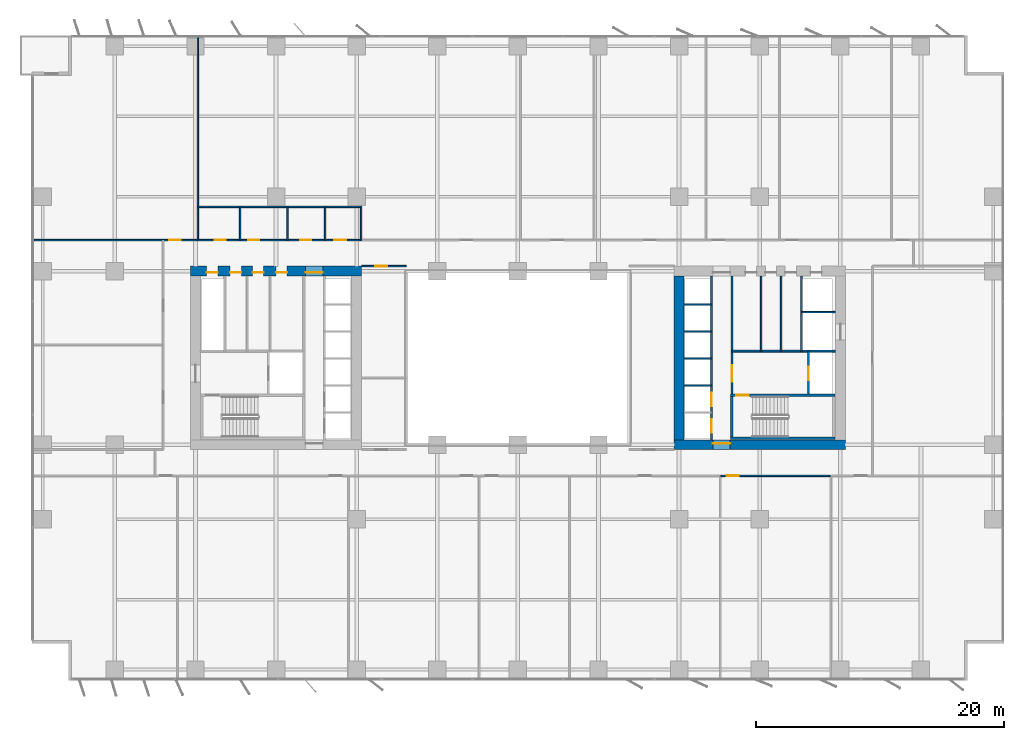
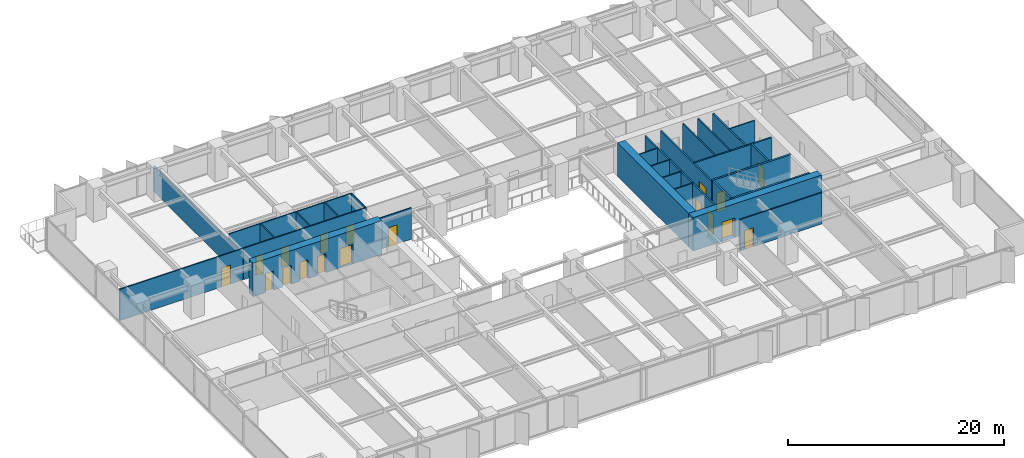
# One storey, part 14 of 20: 28 walls, 18 doors, 18 openings.
"""IFC4 building model written with IfcOpenShell, lengths in metres."""

from ifc_helpers import new_model, si_unit, direction, frame, frame_2d, origin, place, context, subcontext, project, spatial, rectangle, extrude, material, layer, layer_set, type_object, element, fill, save


model = new_model("IFC4")

# Units and contexts
model_context = context("Model", 3, precision=1e-05, world=origin(), true_north=direction((0.0, 1.0)))
body_context = subcontext(model_context, "Body", "Model", "MODEL_VIEW")
ifc_project = project(units=[si_unit("LENGTHUNIT", "METRE"), si_unit("AREAUNIT", "SQUARE_METRE"), si_unit("VOLUMEUNIT", "CUBIC_METRE"), si_unit("PLANEANGLEUNIT", "RADIAN"), si_unit("MASSUNIT", "GRAM", prefix="KILO")], contexts=[model_context])

# Site, building, storey
site_placement = place(None, origin())
site = spatial("IfcSite", under=ifc_project, at=site_placement, CompositionType="ELEMENT")
building_placement = place(site_placement, origin())
building = spatial("IfcBuilding", under=site, at=building_placement, Name="Putna Gate Headquarters", CompositionType="ELEMENT")
storey_placement = place(building_placement, frame((0.0, 0.0, 73.39990234375)))
storey = spatial("IfcBuildingStorey", under=building, at=storey_placement, Name="L17", CompositionType="ELEMENT", Elevation=73.39990234375)

# Wall, openings, doors
ifc_material_1 = material(Name="Concrete C60/75", Category="concrete")
ifc_layer_1 = layer(ifc_material_1, 0.800048828125)
ifc_layer_set_1 = layer_set([ifc_layer_1], Name="Concrete C60/75")
wall_type_1 = type_object("IfcWallType", Name="WALL-CORE-800", PredefinedType="SHEAR", material=ifc_layer_set_1)
wall_1_placement = place(storey_placement, frame((12.60009765625, 33.0, 0.0), z_axis=(0.0, 0.0, 1.0), x_axis=(1.0, 0.0, 0.0)))
wall_1 = element("IfcWall", 1, at=wall_1_placement, inside=storey, type_object=wall_type_1, Name="L17 WC Split Core Shear Wall N", PredefinedType="SHEAR", context=body_context, shape_type="SweptSolid", body=[
    extrude(rectangle(XDim=13.7998046875, YDim=0.800048828125, at=frame_2d((6.89990234375, 0.0))), origin(), (0.0, 0.0, 1.0), 3.800048828125),
])
opening_1_placement = place(wall_1_placement, frame((1.300048828125, 0.0, 0.0)))
opening_1 = element("IfcOpeningElement", 2, at=opening_1_placement, cuts=wall_1, Name="Opening RD-90", PredefinedType="OPENING", context=body_context, shape_type="SweptSolid", body=[
    extrude(rectangle(XDim=0.89990234375, YDim=2.14990234375, at=frame_2d((0.449951171875, 1.074951171875))), frame((0.0, 0.409912109375, 0.0), z_axis=(0.0, -1.0, 0.0), x_axis=(1.0, 0.0, 0.0)), (0.0, 0.0, 1.0), 0.820068359375),
])
opening_2_placement = place(wall_1_placement, frame((3.199951171875, 0.0, 0.0)))
opening_2 = element("IfcOpeningElement", 3, at=opening_2_placement, cuts=wall_1, Name="Opening IDS-90", PredefinedType="OPENING", context=body_context, shape_type="SweptSolid", body=[
    extrude(rectangle(XDim=0.89990234375, YDim=2.14990234375, at=frame_2d((0.449951171875, 1.074951171875))), frame((0.0, 0.409912109375, 0.0), z_axis=(0.0, -1.0, 0.0), x_axis=(1.0, 0.0, 0.0)), (0.0, 0.0, 1.0), 0.820068359375),
])
opening_3_placement = place(wall_1_placement, frame((5.0, 0.0, 0.0)))
opening_3 = element("IfcOpeningElement", 4, at=opening_3_placement, cuts=wall_1, Name="Opening IDS-90", PredefinedType="OPENING", context=body_context, shape_type="SweptSolid", body=[
    extrude(rectangle(XDim=0.89990234375, YDim=2.14990234375, at=frame_2d((0.449951171875, 1.074951171875))), frame((0.0, 0.409912109375, 0.0), z_axis=(0.0, -1.0, 0.0), x_axis=(1.0, 0.0, 0.0)), (0.0, 0.0, 1.0), 0.820068359375),
])
opening_4_placement = place(wall_1_placement, frame((6.89990234375, 0.0, 0.0)))
opening_4 = element("IfcOpeningElement", 5, at=opening_4_placement, cuts=wall_1, Name="Opening IDS-90", PredefinedType="OPENING", context=body_context, shape_type="SweptSolid", body=[
    extrude(rectangle(XDim=0.89990234375, YDim=2.14990234375, at=frame_2d((0.449951171875, 1.074951171875))), frame((0.0, 0.409912109375, 0.0), z_axis=(0.0, -1.0, 0.0), x_axis=(1.0, 0.0, 0.0)), (0.0, 0.0, 1.0), 0.820068359375),
])
opening_5_placement = place(wall_1_placement, frame((9.280029296875, 0.0, 0.0)))
opening_5 = element("IfcOpeningElement", 6, at=opening_5_placement, cuts=wall_1, Name="Opening FDD-140", PredefinedType="OPENING", context=body_context, shape_type="SweptSolid", body=[
    extrude(rectangle(XDim=1.39990234375, YDim=2.199951171875, at=frame_2d((0.699951171875, 1.10009765625))), frame((0.0, 0.409912109375, 0.0), z_axis=(0.0, -1.0, 0.0), x_axis=(1.0, 0.0, 0.0)), (0.0, 0.0, 1.0), 0.820068359375),
])
ifc_material_2 = material(Name="Double steel fire door", Category="steel")
door_type_1 = type_object("IfcDoorType", Name="DOOR-FIRE-DBL-1400", OperationType="DOUBLE_DOOR_SINGLE_SWING", PredefinedType="DOOR", material=ifc_material_2)
door_1_placement = place(opening_5_placement, origin())
door_1 = element("IfcDoor", 7, at=door_1_placement, inside=storey, type_object=door_type_1, Name="L17 West Lift Lobby North Door", OperationType="DOUBLE_DOOR_SINGLE_SWING", OverallHeight=2.199951171875, OverallWidth=1.39990234375, PredefinedType="DOOR", context=body_context, shape_type="SweptSolid", body=[
    extrude(rectangle(XDim=1.39990234375, YDim=2.199951171875, at=frame_2d((0.699951171875, 1.10009765625))), frame((0.0, -0.0751953125, 0.0), z_axis=(0.0, -1.0, 0.0), x_axis=(1.0, 0.0, 0.0)), (0.0, 0.0, 1.0), 0.050048828125),
])
fill(opening_5, door_1)
ifc_material_3 = material(Name="Fire-rated utility door")
door_type_2 = type_object("IfcDoorType", Name="DOOR-INT-900", OperationType="NOTDEFINED", PredefinedType="DOOR", material=ifc_material_3)
door_2_placement = place(opening_2_placement, origin())
door_2 = element("IfcDoor", 8, at=door_2_placement, inside=storey, type_object=door_type_2, Name="L17 Janitor Cupboard Door", OperationType="SINGLE_SWING_LEFT", OverallHeight=2.14990234375, OverallWidth=0.89990234375, PredefinedType="DOOR", context=body_context, shape_type="SweptSolid", body=[
    extrude(rectangle(XDim=0.89990234375, YDim=2.14990234375, at=frame_2d((0.449951171875, 1.074951171875))), frame((0.0, -0.0751953125, 0.0), z_axis=(0.0, -1.0, 0.0), x_axis=(1.0, 0.0, 0.0)), (0.0, 0.0, 1.0), 0.050048828125),
])
fill(opening_2, door_2)
door_3_placement = place(opening_3_placement, origin())
door_3 = element("IfcDoor", 9, at=door_3_placement, inside=storey, type_object=door_type_2, Name="L17 IT Patch Plant Door", OperationType="SINGLE_SWING_RIGHT", OverallHeight=2.14990234375, OverallWidth=0.89990234375, PredefinedType="DOOR", context=body_context, shape_type="SweptSolid", body=[
    extrude(rectangle(XDim=0.89990234375, YDim=2.14990234375, at=frame_2d((0.449951171875, 1.074951171875))), frame((0.0, -0.0751953125, 0.0), z_axis=(0.0, -1.0, 0.0), x_axis=(1.0, 0.0, 0.0)), (0.0, 0.0, 1.0), 0.050048828125),
])
fill(opening_3, door_3)
door_4_placement = place(opening_4_placement, origin())
door_4 = element("IfcDoor", 10, at=door_4_placement, inside=storey, type_object=door_type_2, Name="L17 Building Records Store Door", OperationType="SINGLE_SWING_LEFT", OverallHeight=2.14990234375, OverallWidth=0.89990234375, PredefinedType="DOOR", context=body_context, shape_type="SweptSolid", body=[
    extrude(rectangle(XDim=0.89990234375, YDim=2.14990234375, at=frame_2d((0.449951171875, 1.074951171875))), frame((0.0, -0.0751953125, 0.0), z_axis=(0.0, -1.0, 0.0), x_axis=(1.0, 0.0, 0.0)), (0.0, 0.0, 1.0), 0.050048828125),
])
fill(opening_4, door_4)
ifc_material_4 = material(Name="Steel riser access fire door", Category="steel")
door_type_3 = type_object("IfcDoorType", Name="DOOR-RISER-900", OperationType="NOTDEFINED", PredefinedType="DOOR", material=ifc_material_4)
door_5_placement = place(opening_1_placement, origin())
door_5 = element("IfcDoor", 11, at=door_5_placement, inside=storey, type_object=door_type_3, Name="L17 West Riser Access Door", OperationType="SINGLE_SWING_RIGHT", OverallHeight=2.14990234375, OverallWidth=0.89990234375, PredefinedType="DOOR", context=body_context, shape_type="SweptSolid", body=[
    extrude(rectangle(XDim=0.89990234375, YDim=2.14990234375, at=frame_2d((0.449951171875, 1.074951171875))), frame((0.0, -0.0751953125, 0.0), z_axis=(0.0, -1.0, 0.0), x_axis=(1.0, 0.0, 0.0)), (0.0, 0.0, 1.0), 0.050048828125),
])
fill(opening_1, door_5)

# Wall, opening, door
wall_2_placement = place(storey_placement, frame((51.60009765625, 19.0, 0.0), z_axis=(0.0, 0.0, 1.0), x_axis=(1.0, 0.0, 0.0)))
wall_2 = element("IfcWall", 12, at=wall_2_placement, inside=storey, type_object=wall_type_1, Name="L17 EC Split Core Shear Wall S", PredefinedType="SHEAR", context=body_context, shape_type="SweptSolid", body=[
    extrude(rectangle(XDim=13.7998046875, YDim=0.800048828125, at=frame_2d((6.89990234375, 0.0))), origin(), (0.0, 0.0, 1.0), 3.800048828125),
])
opening_6_placement = place(wall_2_placement, frame((3.1201171875, 0.0, 0.0)))
opening_6 = element("IfcOpeningElement", 13, at=opening_6_placement, cuts=wall_2, Name="Opening FDD-140", PredefinedType="OPENING", context=body_context, shape_type="SweptSolid", body=[
    extrude(rectangle(XDim=1.39990234375, YDim=2.199951171875, at=frame_2d((0.699951171875, 1.10009765625))), frame((0.0, 0.409912109375, 0.0), z_axis=(0.0, -1.0, 0.0), x_axis=(1.0, 0.0, 0.0)), (0.0, 0.0, 1.0), 0.820068359375),
])
door_6_placement = place(opening_6_placement, origin())
door_6 = element("IfcDoor", 14, at=door_6_placement, inside=storey, type_object=door_type_1, Name="L17 East Lift Lobby South Door", OperationType="DOUBLE_DOOR_SINGLE_SWING", OverallHeight=2.199951171875, OverallWidth=1.39990234375, PredefinedType="DOOR", context=body_context, shape_type="SweptSolid", body=[
    extrude(rectangle(XDim=1.39990234375, YDim=2.199951171875, at=frame_2d((0.699951171875, 1.10009765625))), frame((0.0, 0.125, 0.0), z_axis=(0.0, -1.0, 0.0), x_axis=(1.0, 0.0, 0.0)), (0.0, 0.0, 1.0), 0.050048828125),
])
fill(opening_6, door_6)

# Wall
wall_3_placement = place(storey_placement, frame((52.0, 19.39990234375, 0.0), z_axis=(0.0, 0.0, 1.0), x_axis=(0.0, 1.0, 0.0)))
element("IfcWall", 15, at=wall_3_placement, inside=storey, type_object=wall_type_1, Name="L17 EC Split Core Shear Wall W", PredefinedType="SHEAR", context=body_context, shape_type="SweptSolid", body=[
    extrude(rectangle(XDim=13.2001953125, YDim=0.800048828125, at=frame_2d((6.60009765625, 0.0))), origin(), (0.0, 0.0, 1.0), 3.800048828125),
])

# Wall, opening, door
ifc_material_5 = material(Name="Acoustic gypsum board on metal stud")
ifc_layer_2 = layer(ifc_material_5, 0.1201171875)
ifc_layer_set_2 = layer_set([ifc_layer_2], Name="Acoustic gypsum board on metal stud")
wall_type_2 = type_object("IfcWallType", Name="WALL-PART-120", PredefinedType="PARTITIONING", material=ifc_layer_set_2)
wall_4_placement = place(storey_placement, frame((26.39990234375, 33.39990234375, 0.0), z_axis=(0.0, 0.0, 1.0), x_axis=(1.0, 0.0, 0.0)))
wall_4 = element("IfcWall", 16, at=wall_4_placement, inside=storey, type_object=wall_type_2, Name="L17 Interior Wall PART-L17-ATR-W-N", PredefinedType="PARTITIONING", context=body_context, shape_type="SweptSolid", body=[
    extrude(rectangle(XDim=3.60009765625, YDim=0.1201171875, at=frame_2d((1.800048828125, 0.0))), origin(), (0.0, 0.0, 1.0), 3.550048828125),
])
opening_7_placement = place(wall_4_placement, frame((1.10009765625, 0.0, 0.0)))
opening_7 = element("IfcOpeningElement", 17, at=opening_7_placement, cuts=wall_4, Name="Opening ID-95", PredefinedType="OPENING", context=body_context, shape_type="SweptSolid", body=[
    extrude(rectangle(XDim=0.949951171875, YDim=2.14990234375, at=frame_2d((0.47509765625, 1.074951171875))), frame((0.0, 0.070068359375, 0.0), z_axis=(0.0, -1.0, 0.0), x_axis=(1.0, 0.0, 0.0)), (0.0, 0.0, 1.0), 0.14013671875),
])
ifc_material_6 = material(Name="Veneered acoustic timber door", Category="wood")
door_type_4 = type_object("IfcDoorType", Name="DOOR-OFF-950", OperationType="NOTDEFINED", PredefinedType="DOOR", material=ifc_material_6)
door_7_placement = place(opening_7_placement, origin())
door_7 = element("IfcDoor", 18, at=door_7_placement, inside=storey, type_object=door_type_4, Name="L17 West Atrium North Study Door", OperationType="SINGLE_SWING_RIGHT", OverallHeight=2.14990234375, OverallWidth=0.949951171875, PredefinedType="DOOR", context=body_context, shape_type="SweptSolid", body=[
    extrude(rectangle(XDim=0.949951171875, YDim=2.14990234375, at=frame_2d((0.47509765625, 1.074951171875))), frame((0.0, 0.02490234375, 0.0), z_axis=(0.0, -1.0, 0.0), x_axis=(1.0, 0.0, 0.0)), (0.0, 0.0, 1.0), 0.050048828125),
])
fill(opening_7, door_7)

# Walls
wall_5_placement = place(storey_placement, frame((13.199951171875, 35.56005859375, 0.0), z_axis=(0.0, 0.0, 1.0), x_axis=(0.0, 1.0, 0.0)))
element("IfcWall", 19, at=wall_5_placement, inside=storey, type_object=wall_type_2, Name="L17 Interior Wall PART-L17-NB-DIV-01", PredefinedType="PARTITIONING", context=body_context, shape_type="SweptSolid", body=[
    extrude(rectangle(XDim=16.419921875, YDim=0.1201171875, at=frame_2d((8.2099609375, 0.0))), origin(), (0.0, 0.0, 1.0), 2.900146484375),
])
ifc_material_7 = material(Name="Fire-rated shaftwall gypsum board on metal stud")
ifc_layer_3 = layer(ifc_material_7, 0.1201171875)
ifc_layer_set_3 = layer_set([ifc_layer_3], Name="Fire-rated shaftwall gypsum board on metal stud")
wall_type_3 = type_object("IfcWallType", Name="WALL-PART-120-EI120", PredefinedType="PARTITIONING", material=ifc_layer_set_3)
for number, where, z_axis, x_axis, name in (
    (20, (52.39990234375, 23.780029296875, 0.0), (0.0, 0.0, 1.0), (1.0, 0.0, 0.0), "L17 Interior Wall CWINT-L17-EC-LF04-DIV"),
    (21, (52.39990234375, 25.949951171875, 0.0), (0.0, 0.0, 1.0), (1.0, 0.0, 0.0), "L17 Interior Wall CWINT-L17-EC-LF07-DIV"),
    (22, (52.39990234375, 28.1201171875, 0.0), (0.0, 0.0, 1.0), (1.0, 0.0, 0.0), "L17 Interior Wall CWINT-L17-EC-LF08-DIV"),
    (23, (52.39990234375, 30.31005859375, 0.0), (0.0, 0.0, 1.0), (1.0, 0.0, 0.0), "L17 Interior Wall CWINT-L17-EC-LF11-DIV"),
):
    element("IfcWall", number, at=place(storey_placement, frame(where, z_axis=z_axis, x_axis=x_axis)), inside=storey, type_object=wall_type_3, Name=name, PredefinedType="PARTITIONING", context=body_context, shape_type="SweptSolid", body=[
        extrude(rectangle(XDim=2.2001953125, YDim=0.1201171875, at=frame_2d((1.10009765625, 0.0))), origin(), (0.0, 0.0, 1.0), 3.550048828125),
    ])
wall_6_placement = place(storey_placement, frame((61.8701171875, 29.699951171875, 0.0), z_axis=(0.0, 0.0, 1.0), x_axis=(1.0, 0.0, 0.0)))
element("IfcWall", 24, at=wall_6_placement, inside=storey, type_object=wall_type_3, Name="L17 Interior Wall CWINT-L17-EC-LF15-N", PredefinedType="PARTITIONING", context=body_context, shape_type="SweptSolid", body=[
    extrude(rectangle(XDim=2.72998046875, YDim=0.1201171875, at=frame_2d((1.364990234375, 0.0))), origin(), (0.0, 0.0, 1.0), 3.550048828125),
])
ifc_material_8 = material(Name="Fire-rated gypsum board on metal stud")
ifc_layer_4 = layer(ifc_material_8, 0.1201171875)
ifc_layer_set_4 = layer_set([ifc_layer_4], Name="Fire-rated gypsum board on metal stud")
wall_type_4 = type_object("IfcWallType", Name="WALL-PART-120-RATED", PredefinedType="PARTITIONING", material=ifc_layer_set_4)
for number, where, z_axis, x_axis, name in (
    (25, (58.6201171875, 26.56005859375, 0.0), (0.0, 0.0, 1.0), (0.0, 1.0, 0.0), "L17 Interior Wall CWINT-L17-EC-K2-D1"),
    (26, (60.219970703125, 26.56005859375, 0.0), (0.0, 0.0, 1.0), (0.0, 1.0, 0.0), "L17 Interior Wall CWINT-L17-EC-K2-D2"),
):
    element("IfcWall", number, at=place(storey_placement, frame(where, z_axis=z_axis, x_axis=x_axis)), inside=storey, type_object=wall_type_4, Name=name, PredefinedType="PARTITIONING", context=body_context, shape_type="SweptSolid", body=[
        extrude(rectangle(XDim=6.0400390625, YDim=0.1201171875, at=frame_2d((3.02001953125, 0.0))), origin(), (0.0, 0.0, 1.0), 3.550048828125),
    ])

# Wall, openings, doors
wall_7_placement = place(storey_placement, frame((13.199951171875, 35.5, 0.0), z_axis=(0.0, 0.0, 1.0), x_axis=(1.0, 0.0, 0.0)))
wall_7 = element("IfcWall", 27, at=wall_7_placement, inside=storey, type_object=wall_type_4, Name="L17 Interior Wall PART-L17-SAN-CW", PredefinedType="PARTITIONING", context=body_context, shape_type="SweptSolid", body=[
    extrude(rectangle(XDim=13.16015625, YDim=0.1201171875, at=frame_2d((6.580078125, 0.0))), origin(), (0.0, 0.0, 1.0), 3.550048828125),
])
opening_8_placement = place(wall_7_placement, frame((1.35009765625, 0.0, 0.0)))
opening_8 = element("IfcOpeningElement", 28, at=opening_8_placement, cuts=wall_7, Name="Opening FD-90", PredefinedType="OPENING", context=body_context, shape_type="SweptSolid", body=[
    extrude(rectangle(XDim=0.89990234375, YDim=2.14990234375, at=frame_2d((0.449951171875, 1.074951171875))), frame((0.0, 0.070068359375, 0.0), z_axis=(0.0, -1.0, 0.0), x_axis=(1.0, 0.0, 0.0)), (0.0, 0.0, 1.0), 0.14013671875),
])
opening_9_placement = place(wall_7_placement, frame((4.050048828125, 0.0, 0.0)))
opening_9 = element("IfcOpeningElement", 29, at=opening_9_placement, cuts=wall_7, Name="Opening FD-90", PredefinedType="OPENING", context=body_context, shape_type="SweptSolid", body=[
    extrude(rectangle(XDim=0.89990234375, YDim=2.14990234375, at=frame_2d((0.449951171875, 1.074951171875))), frame((0.0, 0.070068359375, 0.0), z_axis=(0.0, -1.0, 0.0), x_axis=(1.0, 0.0, 0.0)), (0.0, 0.0, 1.0), 0.14013671875),
])
opening_10_placement = place(wall_7_placement, frame((8.25, 0.0, 0.0)))
opening_10 = element("IfcOpeningElement", 30, at=opening_10_placement, cuts=wall_7, Name="Opening FD-90", PredefinedType="OPENING", context=body_context, shape_type="SweptSolid", body=[
    extrude(rectangle(XDim=0.89990234375, YDim=2.14990234375, at=frame_2d((0.449951171875, 1.074951171875))), frame((0.0, 0.070068359375, 0.0), z_axis=(0.0, -1.0, 0.0), x_axis=(1.0, 0.0, 0.0)), (0.0, 0.0, 1.0), 0.14013671875),
])
opening_11_placement = place(wall_7_placement, frame((11.0, 0.0, 0.0)))
opening_11 = element("IfcOpeningElement", 31, at=opening_11_placement, cuts=wall_7, Name="Opening FD-95", PredefinedType="OPENING", context=body_context, shape_type="SweptSolid", body=[
    extrude(rectangle(XDim=0.949951171875, YDim=2.14990234375, at=frame_2d((0.47509765625, 1.074951171875))), frame((0.0, 0.070068359375, 0.0), z_axis=(0.0, -1.0, 0.0), x_axis=(1.0, 0.0, 0.0)), (0.0, 0.0, 1.0), 0.14013671875),
])
ifc_material_9 = material(Name="Acoustic washroom fire door")
door_type_5 = type_object("IfcDoorType", Name="DOOR-FIRE-900", OperationType="NOTDEFINED", PredefinedType="DOOR", material=ifc_material_9)
door_8_placement = place(opening_8_placement, origin())
door_8 = element("IfcDoor", 32, at=door_8_placement, inside=storey, type_object=door_type_5, Name="L17 Washroom Male Door", OperationType="SINGLE_SWING_RIGHT", OverallHeight=2.14990234375, OverallWidth=0.89990234375, PredefinedType="DOOR", context=body_context, shape_type="SweptSolid", body=[
    extrude(rectangle(XDim=0.89990234375, YDim=2.14990234375, at=frame_2d((0.449951171875, 1.074951171875))), frame((0.0, 0.02490234375, 0.0), z_axis=(0.0, -1.0, 0.0), x_axis=(1.0, 0.0, 0.0)), (0.0, 0.0, 1.0), 0.050048828125),
])
fill(opening_8, door_8)
door_9_placement = place(opening_9_placement, origin())
door_9 = element("IfcDoor", 33, at=door_9_placement, inside=storey, type_object=door_type_5, Name="L17 Washroom Female Door", OperationType="SINGLE_SWING_LEFT", OverallHeight=2.14990234375, OverallWidth=0.89990234375, PredefinedType="DOOR", context=body_context, shape_type="SweptSolid", body=[
    extrude(rectangle(XDim=0.89990234375, YDim=2.14990234375, at=frame_2d((0.449951171875, 1.074951171875))), frame((0.0, 0.02490234375, 0.0), z_axis=(0.0, -1.0, 0.0), x_axis=(1.0, 0.0, 0.0)), (0.0, 0.0, 1.0), 0.050048828125),
])
fill(opening_9, door_9)
door_10_placement = place(opening_10_placement, origin())
door_10 = element("IfcDoor", 34, at=door_10_placement, inside=storey, type_object=door_type_5, Name="L17 Accessible WC Door", OperationType="SINGLE_SWING_RIGHT", OverallHeight=2.14990234375, OverallWidth=0.89990234375, PredefinedType="DOOR", context=body_context, shape_type="SweptSolid", body=[
    extrude(rectangle(XDim=0.89990234375, YDim=2.14990234375, at=frame_2d((0.449951171875, 1.074951171875))), frame((0.0, 0.02490234375, 0.0), z_axis=(0.0, -1.0, 0.0), x_axis=(1.0, 0.0, 0.0)), (0.0, 0.0, 1.0), 0.050048828125),
])
fill(opening_10, door_10)
ifc_material_10 = material(Name="Acoustic timber fire door", Category="wood")
door_type_6 = type_object("IfcDoorType", Name="DOOR-FIRE-950", OperationType="NOTDEFINED", PredefinedType="DOOR", material=ifc_material_10)
door_11_placement = place(opening_11_placement, origin())
door_11 = element("IfcDoor", 35, at=door_11_placement, inside=storey, type_object=door_type_6, Name="L17 Staff Pantry and Tea Point Door", OperationType="SINGLE_SWING_LEFT", OverallHeight=2.14990234375, OverallWidth=0.949951171875, PredefinedType="DOOR", context=body_context, shape_type="SweptSolid", body=[
    extrude(rectangle(XDim=0.949951171875, YDim=2.14990234375, at=frame_2d((0.47509765625, 1.074951171875))), frame((0.0, 0.02490234375, 0.0), z_axis=(0.0, -1.0, 0.0), x_axis=(1.0, 0.0, 0.0)), (0.0, 0.0, 1.0), 0.050048828125),
])
fill(opening_11, door_11)

# Walls
wall_8_placement = place(storey_placement, frame((13.199951171875, 38.179931640625, 0.0), z_axis=(0.0, 0.0, 1.0), x_axis=(1.0, 0.0, 0.0)))
element("IfcWall", 36, at=wall_8_placement, inside=storey, type_object=wall_type_4, Name="L17 Interior Wall PART-L17-SAN-BACK", PredefinedType="PARTITIONING", context=body_context, shape_type="SweptSolid", body=[
    extrude(rectangle(XDim=13.16015625, YDim=0.1201171875, at=frame_2d((6.580078125, 0.0))), origin(), (0.0, 0.0, 1.0), 3.550048828125),
])
for number, where, z_axis, x_axis, name in (
    (37, (16.60009765625, 35.5, 0.0), (0.0, 0.0, 1.0), (0.0, 1.0, 0.0), "L17 Interior Wall PART-L17-SAN-DIV-1"),
    (38, (20.419921875, 35.5, 0.0), (0.0, 0.0, 1.0), (0.0, 1.0, 0.0), "L17 Interior Wall PART-L17-SAN-DIV-2"),
    (39, (23.4599609375, 35.5, 0.0), (0.0, 0.0, 1.0), (0.0, 1.0, 0.0), "L17 Interior Wall PART-L17-SAN-DIV-3"),
    (40, (26.360107421875, 35.5, 0.0), (0.0, 0.0, 1.0), (0.0, 1.0, 0.0), "L17 Interior Wall PART-L17-SAN-DIV-4"),
):
    element("IfcWall", number, at=place(storey_placement, frame(where, z_axis=z_axis, x_axis=x_axis)), inside=storey, type_object=wall_type_4, Name=name, PredefinedType="PARTITIONING", context=body_context, shape_type="SweptSolid", body=[
        extrude(rectangle(XDim=2.679931640625, YDim=0.1201171875, at=frame_2d((1.33984375, 0.0))), origin(), (0.0, 0.0, 1.0), 3.550048828125),
    ])

# Wall, opening, door
wall_9_placement = place(storey_placement, frame((-0.02001953125, 35.5, 0.0), z_axis=(0.0, 0.0, 1.0), x_axis=(1.0, 0.0, 0.0)))
wall_9 = element("IfcWall", 41, at=wall_9_placement, inside=storey, type_object=wall_type_4, Name="L17 Interior Wall PART-L17-NB-CW-01", PredefinedType="PARTITIONING", context=body_context, shape_type="SweptSolid", body=[
    extrude(rectangle(XDim=13.159912109375, YDim=0.1201171875, at=frame_2d((6.580078125, 0.0))), origin(), (0.0, 0.0, 1.0), 3.550048828125),
])
opening_12_placement = place(wall_9_placement, frame((10.89990234375, 0.0, 0.0)))
opening_12 = element("IfcOpeningElement", 42, at=opening_12_placement, cuts=wall_9, Name="Opening FD-95", PredefinedType="OPENING", context=body_context, shape_type="SweptSolid", body=[
    extrude(rectangle(XDim=0.949951171875, YDim=2.14990234375, at=frame_2d((0.47509765625, 1.074951171875))), frame((0.0, 0.070068359375, 0.0), z_axis=(0.0, -1.0, 0.0), x_axis=(1.0, 0.0, 0.0)), (0.0, 0.0, 1.0), 0.14013671875),
])
door_12_placement = place(opening_12_placement, origin())
door_12 = element("IfcDoor", 43, at=door_12_placement, inside=storey, type_object=door_type_6, Name="L17 Quiet Wellness Focus Studio 3 Door", OperationType="SINGLE_SWING_RIGHT", OverallHeight=2.14990234375, OverallWidth=0.949951171875, PredefinedType="DOOR", context=body_context, shape_type="SweptSolid", body=[
    extrude(rectangle(XDim=0.949951171875, YDim=2.14990234375, at=frame_2d((0.47509765625, 1.074951171875))), frame((0.0, 0.02490234375, 0.0), z_axis=(0.0, -1.0, 0.0), x_axis=(1.0, 0.0, 0.0)), (0.0, 0.0, 1.0), 0.050048828125),
])
fill(opening_12, door_12)

wall_10_placement = place(storey_placement, frame((55.378173828125, 16.5, 0.0), z_axis=(0.0, 0.0, 1.0), x_axis=(1.0, 0.0, 0.0)))
wall_10 = element("IfcWall", 44, at=wall_10_placement, inside=storey, type_object=wall_type_4, Name="L17 Interior Wall PART-L17-SB-CW-06", PredefinedType="PARTITIONING", context=body_context, shape_type="SweptSolid", body=[
    extrude(rectangle(XDim=8.792236328125, YDim=0.1201171875, at=frame_2d((4.39599609375, 0.0))), origin(), (0.0, 0.0, 1.0), 3.550048828125),
])
opening_13_placement = place(wall_10_placement, frame((0.47998046875, 0.0, 0.0)))
opening_13 = element("IfcOpeningElement", 45, at=opening_13_placement, cuts=wall_10, Name="Opening FD-95", PredefinedType="OPENING", context=body_context, shape_type="SweptSolid", body=[
    extrude(rectangle(XDim=0.949951171875, YDim=2.14990234375, at=frame_2d((0.47509765625, 1.074951171875))), frame((0.0, 0.070068359375, 0.0), z_axis=(0.0, -1.0, 0.0), x_axis=(1.0, 0.0, 0.0)), (0.0, 0.0, 1.0), 0.14013671875),
])
door_13_placement = place(opening_13_placement, origin())
door_13 = element("IfcDoor", 46, at=door_13_placement, inside=storey, type_object=door_type_6, Name="L17 Quiet Wellness Focus Studio 2 Door", OperationType="SINGLE_SWING_RIGHT", OverallHeight=2.14990234375, OverallWidth=0.949951171875, PredefinedType="DOOR", context=body_context, shape_type="SweptSolid", body=[
    extrude(rectangle(XDim=0.949951171875, YDim=2.14990234375, at=frame_2d((0.47509765625, 1.074951171875))), frame((0.0, 0.02490234375, 0.0), z_axis=(0.0, -1.0, 0.0), x_axis=(1.0, 0.0, 0.0)), (0.0, 0.0, 1.0), 0.050048828125),
])
fill(opening_13, door_13)

# Wall, openings, doors
ifc_material_11 = material(Name="Concrete C40/50", Category="concrete")
ifc_layer_5 = layer(ifc_material_11, 0.159912109375)
ifc_layer_set_5 = layer_set([ifc_layer_5], Name="Concrete C40/50")
wall_type_5 = type_object("IfcWallType", Name="WALL-SHAFT-160", PredefinedType="STANDARD", material=ifc_layer_set_5)
wall_11_placement = place(storey_placement, frame((54.60009765625, 19.39990234375, 0.0), z_axis=(0.0, 0.0, 1.0), x_axis=(0.0, 1.0, 0.0)))
wall_11 = element("IfcWall", 47, at=wall_11_placement, inside=storey, type_object=wall_type_5, Name="L17 Interior Wall CWINT-L17-EC-PL-WALL", PredefinedType="STANDARD", context=body_context, shape_type="SweptSolid", body=[
    extrude(rectangle(XDim=13.2001953125, YDim=0.159912109375, at=frame_2d((6.60009765625, 0.0))), origin(), (0.0, 0.0, 1.0), 3.550048828125),
])
opening_14_placement = place(wall_11_placement, frame((0.550048828125, 0.0, 0.0)))
opening_14 = element("IfcOpeningElement", 48, at=opening_14_placement, cuts=wall_11, Name="Opening LD-1", PredefinedType="OPENING", context=body_context, shape_type="SweptSolid", body=[
    extrude(rectangle(XDim=1.10009765625, YDim=2.199951171875, at=frame_2d((0.550048828125, 1.10009765625))), frame((0.0, 0.08984375, 0.0), z_axis=(0.0, -1.0, 0.0), x_axis=(1.0, 0.0, 0.0)), (0.0, 0.0, 1.0), 0.179931640625),
])
opening_15_placement = place(wall_11_placement, frame((2.699951171875, 0.0, 0.0)))
opening_15 = element("IfcOpeningElement", 49, at=opening_15_placement, cuts=wall_11, Name="Opening LD-1", PredefinedType="OPENING", context=body_context, shape_type="SweptSolid", body=[
    extrude(rectangle(XDim=1.10009765625, YDim=2.199951171875, at=frame_2d((0.550048828125, 1.10009765625))), frame((0.0, 0.08984375, 0.0), z_axis=(0.0, -1.0, 0.0), x_axis=(1.0, 0.0, 0.0)), (0.0, 0.0, 1.0), 0.179931640625),
])
ifc_material_12 = material(Name="Brushed bronze stainless lift landing door")
door_type_7 = type_object("IfcDoorType", Name="DOOR-LIFT-1100", OperationType="DOUBLE_DOOR_SLIDING", PredefinedType="DOOR", material=ifc_material_12)
door_14_placement = place(opening_14_placement, origin())
door_14 = element("IfcDoor", 50, at=door_14_placement, inside=storey, type_object=door_type_7, Name="L17 Lift Landing Door LD-03", OperationType="DOUBLE_DOOR_SLIDING", OverallHeight=2.199951171875, OverallWidth=1.10009765625, PredefinedType="DOOR", context=body_context, shape_type="SweptSolid", body=[
    extrude(rectangle(XDim=1.10009765625, YDim=2.199951171875, at=frame_2d((0.550048828125, 1.10009765625))), frame((0.0, 0.02490234375, 0.0), z_axis=(0.0, -1.0, 0.0), x_axis=(1.0, 0.0, 0.0)), (0.0, 0.0, 1.0), 0.050048828125),
])
fill(opening_14, door_14)
door_15_placement = place(opening_15_placement, origin())
door_15 = element("IfcDoor", 51, at=door_15_placement, inside=storey, type_object=door_type_7, Name="L17 Lift Landing Door LD-04", OperationType="DOUBLE_DOOR_SLIDING", OverallHeight=2.199951171875, OverallWidth=1.10009765625, PredefinedType="DOOR", context=body_context, shape_type="SweptSolid", body=[
    extrude(rectangle(XDim=1.10009765625, YDim=2.199951171875, at=frame_2d((0.550048828125, 1.10009765625))), frame((0.0, 0.02490234375, 0.0), z_axis=(0.0, -1.0, 0.0), x_axis=(1.0, 0.0, 0.0)), (0.0, 0.0, 1.0), 0.050048828125),
])
fill(opening_15, door_15)

# Wall, opening, door
wall_12_placement = place(storey_placement, frame((56.260009765625, 23.090087890625, 0.0), z_axis=(0.0, 0.0, 1.0), x_axis=(0.0, 1.0, 0.0)))
wall_12 = element("IfcWall", 52, at=wall_12_placement, inside=storey, type_object=wall_type_5, Name="L17 Interior Wall CWINT-L17-EC-LOB-E", PredefinedType="STANDARD", context=body_context, shape_type="SweptSolid", body=[
    extrude(rectangle(XDim=9.510009765625, YDim=0.159912109375, at=frame_2d((4.7548828125, 0.0))), origin(), (0.0, 0.0, 1.0), 3.550048828125),
])
opening_16_placement = place(wall_12_placement, frame((1.010009765625, 0.0, 0.0)))
opening_16 = element("IfcOpeningElement", 53, at=opening_16_placement, cuts=wall_12, Name="Opening FDD-130", PredefinedType="OPENING", context=body_context, shape_type="SweptSolid", body=[
    extrude(rectangle(XDim=1.300048828125, YDim=2.199951171875, at=frame_2d((0.64990234375, 1.10009765625))), frame((0.0, 0.08984375, 0.0), z_axis=(0.0, -1.0, 0.0), x_axis=(1.0, 0.0, 0.0)), (0.0, 0.0, 1.0), 0.179931640625),
])
ifc_material_13 = material(Name="Double steel lobby fire door", Category="steel")
door_type_8 = type_object("IfcDoorType", Name="DOOR-FIRE-DBL-1300", OperationType="DOUBLE_DOOR_SINGLE_SWING", PredefinedType="DOOR", material=ifc_material_13)
door_16_placement = place(opening_16_placement, origin())
door_16 = element("IfcDoor", 54, at=door_16_placement, inside=storey, type_object=door_type_8, Name="L17 East Firefighting Lobby Door", OperationType="DOUBLE_DOOR_SINGLE_SWING", OverallHeight=2.199951171875, OverallWidth=1.300048828125, PredefinedType="DOOR", context=body_context, shape_type="SweptSolid", body=[
    extrude(rectangle(XDim=1.300048828125, YDim=2.199951171875, at=frame_2d((0.64990234375, 1.10009765625))), frame((0.0, 0.02490234375, 0.0), z_axis=(0.0, -1.0, 0.0), x_axis=(1.0, 0.0, 0.0)), (0.0, 0.0, 1.0), 0.050048828125),
])
fill(opening_16, door_16)

wall_13_placement = place(storey_placement, frame((62.429931640625, 23.090087890625, 0.0), z_axis=(0.0, 0.0, 1.0), x_axis=(0.0, 1.0, 0.0)))
wall_13 = element("IfcWall", 55, at=wall_13_placement, inside=storey, type_object=wall_type_5, Name="L17 Interior Wall CWINT-L17-EC-LF14-W", PredefinedType="STANDARD", context=body_context, shape_type="SweptSolid", body=[
    extrude(rectangle(XDim=3.469970703125, YDim=0.159912109375, at=frame_2d((1.73486328125, 0.0))), origin(), (0.0, 0.0, 1.0), 3.550048828125),
])
opening_17_placement = place(wall_13_placement, frame((1.10009765625, 0.0, 0.0)))
opening_17 = element("IfcOpeningElement", 56, at=opening_17_placement, cuts=wall_13, Name="Opening LD-1", PredefinedType="OPENING", context=body_context, shape_type="SweptSolid", body=[
    extrude(rectangle(XDim=1.10009765625, YDim=2.199951171875, at=frame_2d((0.550048828125, 1.10009765625))), frame((0.0, 0.08984375, 0.0), z_axis=(0.0, -1.0, 0.0), x_axis=(1.0, 0.0, 0.0)), (0.0, 0.0, 1.0), 0.179931640625),
])
door_17_placement = place(opening_17_placement, origin())
door_17 = element("IfcDoor", 57, at=door_17_placement, inside=storey, type_object=door_type_7, Name="L17 Lift Landing Door LD-14", OperationType="DOUBLE_DOOR_SLIDING", OverallHeight=2.199951171875, OverallWidth=1.10009765625, PredefinedType="DOOR", context=body_context, shape_type="SweptSolid", body=[
    extrude(rectangle(XDim=1.10009765625, YDim=2.199951171875, at=frame_2d((0.550048828125, 1.10009765625))), frame((0.0, 0.02490234375, 0.0), z_axis=(0.0, -1.0, 0.0), x_axis=(1.0, 0.0, 0.0)), (0.0, 0.0, 1.0), 0.050048828125),
])
fill(opening_17, door_17)

# Walls
wall_14_placement = place(storey_placement, frame((56.260009765625, 26.56005859375, 0.0), z_axis=(0.0, 0.0, 1.0), x_axis=(1.0, 0.0, 0.0)))
element("IfcWall", 58, at=wall_14_placement, inside=storey, type_object=wall_type_5, Name="L17 Interior Wall CWINT-L17-EC-FFL-N", PredefinedType="STANDARD", context=body_context, shape_type="SweptSolid", body=[
    extrude(rectangle(XDim=8.340087890625, YDim=0.159912109375, at=frame_2d((4.169921875, 0.0))), origin(), (0.0, 0.0, 1.0), 3.550048828125),
])
wall_15_placement = place(storey_placement, frame((61.8701171875, 26.56005859375, 0.0), z_axis=(0.0, 0.0, 1.0), x_axis=(0.0, 1.0, 0.0)))
element("IfcWall", 59, at=wall_15_placement, inside=storey, type_object=wall_type_5, Name="L17 Interior Wall CWINT-L17-EC-LF15-W", PredefinedType="STANDARD", context=body_context, shape_type="SweptSolid", body=[
    extrude(rectangle(XDim=6.0400390625, YDim=0.159912109375, at=frame_2d((3.02001953125, 0.0))), origin(), (0.0, 0.0, 1.0), 3.550048828125),
])
ifc_layer_6 = layer(ifc_material_11, 0.199951171875)
ifc_layer_set_6 = layer_set([ifc_layer_6], Name="Concrete C40/50")
wall_type_6 = type_object("IfcWallType", Name="WALL-SHAFT-RC200", PredefinedType="SHEAR", material=ifc_layer_set_6)
wall_16_placement = place(storey_placement, frame((56.159912109375, 19.510009765625, 0.0), z_axis=(0.0, 0.0, 1.0), x_axis=(1.0, 0.0, 0.0)))
element("IfcWall", 60, at=wall_16_placement, inside=storey, type_object=wall_type_6, Name="L17 Stair ST2 Structural Shaft Wall S", PredefinedType="SHEAR", context=body_context, shape_type="SweptSolid", body=[
    extrude(rectangle(XDim=8.43017578125, YDim=0.199951171875, at=frame_2d((4.215087890625, 0.0))), origin(), (0.0, 0.0, 1.0), 3.800048828125),
])

# Wall, opening, door
wall_17_placement = place(storey_placement, frame((56.159912109375, 22.989990234375, 0.0), z_axis=(0.0, 0.0, 1.0), x_axis=(1.0, 0.0, 0.0)))
wall_17 = element("IfcWall", 61, at=wall_17_placement, inside=storey, type_object=wall_type_6, Name="L17 Stair ST2 Structural Shaft Wall N", PredefinedType="SHEAR", context=body_context, shape_type="SweptSolid", body=[
    extrude(rectangle(XDim=8.43017578125, YDim=0.199951171875, at=frame_2d((4.215087890625, 0.0))), origin(), (0.0, 0.0, 1.0), 3.800048828125),
])
opening_18_placement = place(wall_17_placement, frame((0.449951171875, 0.0, 0.0)))
opening_18 = element("IfcOpeningElement", 62, at=opening_18_placement, cuts=wall_17, Name="Opening FD-100", PredefinedType="OPENING", context=body_context, shape_type="SweptSolid", body=[
    extrude(rectangle(XDim=1.0, YDim=2.14990234375, at=frame_2d((0.5, 1.074951171875))), frame((0.0, 0.10986328125, 0.0), z_axis=(0.0, -1.0, 0.0), x_axis=(1.0, 0.0, 0.0)), (0.0, 0.0, 1.0), 0.219970703125),
])
ifc_material_14 = material(Name="Powder-coated steel fire door", Category="steel")
door_type_9 = type_object("IfcDoorType", Name="DOOR-FIRE-1000", OperationType="NOTDEFINED", PredefinedType="DOOR", material=ifc_material_14)
door_18_placement = place(opening_18_placement, origin())
door_18 = element("IfcDoor", 63, at=door_18_placement, inside=storey, type_object=door_type_9, Name="L17 Stair ST2 Fire Door", OperationType="SINGLE_SWING_RIGHT", OverallHeight=2.14990234375, OverallWidth=1.0, PredefinedType="DOOR", context=body_context, shape_type="SweptSolid", body=[
    extrude(rectangle(XDim=1.0, YDim=2.14990234375, at=frame_2d((0.5, 1.074951171875))), frame((0.0, 0.02490234375, 0.0), z_axis=(0.0, -1.0, 0.0), x_axis=(1.0, 0.0, 0.0)), (0.0, 0.0, 1.0), 0.050048828125),
])
fill(opening_18, door_18)

# Wall
wall_18_placement = place(storey_placement, frame((56.260009765625, 19.610107421875, 0.0), z_axis=(0.0, 0.0, 1.0), x_axis=(0.0, 1.0, 0.0)))
element("IfcWall", 64, at=wall_18_placement, inside=storey, type_object=wall_type_6, Name="L17 Stair ST2 Structural Shaft Wall W", PredefinedType="SHEAR", context=body_context, shape_type="SweptSolid", body=[
    extrude(rectangle(XDim=3.27978515625, YDim=0.199951171875, at=frame_2d((1.639892578125, 0.0))), origin(), (0.0, 0.0, 1.0), 3.800048828125),
])

save(model, "model.ifc")
